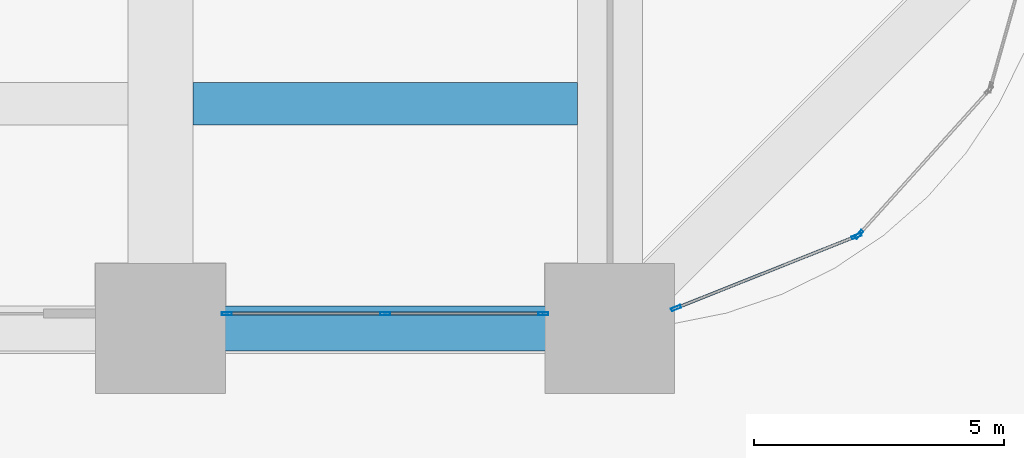
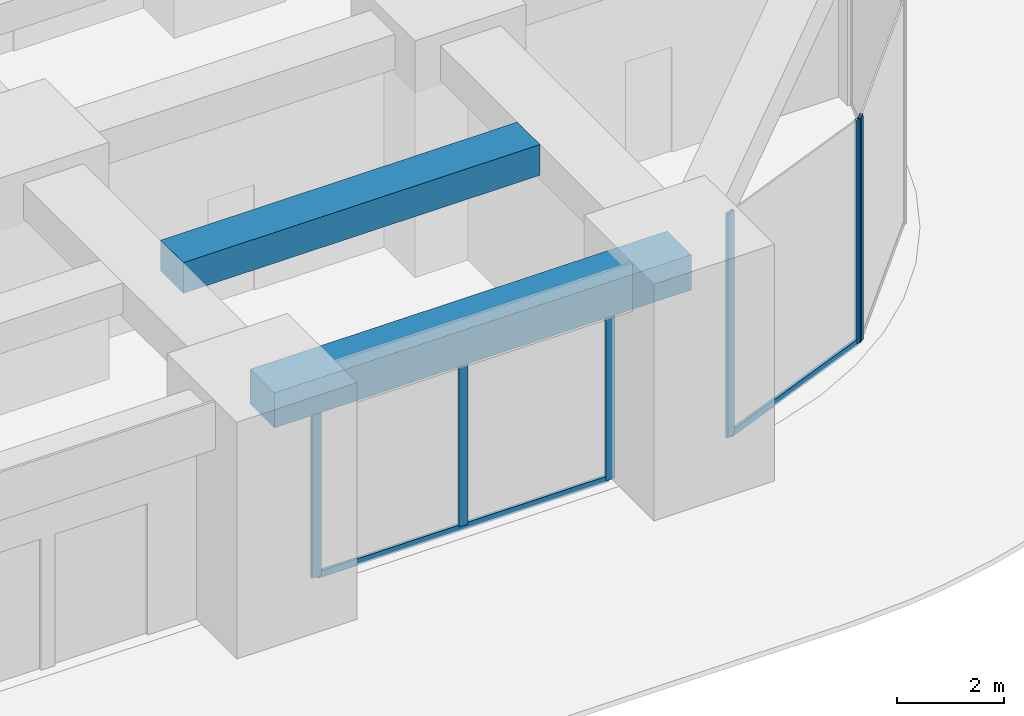
# One storey, part 29 of 56: 8 members, 2 beams, 3 elements without a shape of their own.
"""IFC4 building model written with IfcOpenShell, lengths in metres."""

from ifc_helpers import new_model, si_unit, direction, frame, origin, origin_2d, place, context, subcontext, project, spatial, rectangle, hollow_rectangle, extrude, material, material_profile, profile_set, type_object, element, aggregate, save


model = new_model("IFC4")

# Units and contexts
model_context = context("Model", 3, precision=1e-05, world=origin(), true_north=direction((0.0, 1.0)))
body_context = subcontext(model_context, "Body", "Model", "MODEL_VIEW")
ifc_project = project(units=[si_unit("LENGTHUNIT", "METRE"), si_unit("AREAUNIT", "SQUARE_METRE"), si_unit("VOLUMEUNIT", "CUBIC_METRE"), si_unit("PLANEANGLEUNIT", "RADIAN"), si_unit("MASSUNIT", "GRAM", prefix="KILO")], contexts=[model_context])

# Site, building, storey
site_placement = place(None, origin())
site = spatial("IfcSite", under=ifc_project, at=site_placement, CompositionType="ELEMENT")
building_placement = place(site_placement, origin())
building = spatial("IfcBuilding", under=site, at=building_placement, Name="Zorevar Civic Tower", CompositionType="ELEMENT")
storey_placement = place(building_placement, origin())
storey = spatial("IfcBuildingStorey", under=building, at=storey_placement, Name="L00", CompositionType="ELEMENT", Elevation=0.0)

# Beam
ifc_material_1 = material(Name="Concrete C50/60", Category="concrete")
ifc_material_profile_1 = material_profile(ifc_material_1, rectangle(XDim=0.85009765625, YDim=0.699951171875, at=origin_2d()), Name="RC 850x700")
ifc_profile_set_1 = profile_set([ifc_material_profile_1], Name="Concrete C50/60")
beam_type_1 = type_object("IfcBeamType", Name="Beam RC 850x700", PredefinedType="BEAM", material=ifc_profile_set_1)
beam_1_placement = place(storey_placement, frame((54.64990234375, 4.5, 4.75), z_axis=(1.0, 0.0, 0.0), x_axis=(0.0, 1.0, 0.0)))
element("IfcBeam", 1, at=beam_1_placement, inside=storey, type_object=beam_type_1, Name="Secondary beam L01", PredefinedType="BEAM", context=body_context, shape_type="SweptSolid", body=[
    extrude(rectangle(XDim=0.85009765625, YDim=0.699951171875, at=origin_2d()), origin(), (0.0, 0.0, 1.0), 7.7001953125),
])

# Curtain wall, members
ifc_material_2 = material(Name="Dark grey solar-control glass in black aluminium frame", Category="aluminium")
curtain_wall_type = type_object("IfcCurtainWallType", Name="Curtain wall CW1 podium", PredefinedType="NOTDEFINED", material=ifc_material_2)
curtain_wall_1_placement = place(storey_placement, origin())
curtain_wall_1 = element("IfcCurtainWall", 2, at=curtain_wall_1_placement, inside=storey, type_object=curtain_wall_type, Name="CW1 L00", PredefinedType="NOTDEFINED")
ifc_material_3 = material(Name="Aluminium, black anodised", Category="aluminium")
ifc_material_profile_2 = material_profile(ifc_material_3, hollow_rectangle(XDim=0.06005859375, YDim=0.199951171875, WallThickness=0.00390625, at=origin_2d()), Name="AL 200x60x4")
ifc_profile_set_2 = profile_set([ifc_material_profile_2], Name="Aluminium, black anodised")
member_type_1 = type_object("IfcMemberType", Name="CW1 mullion AL 200x60x4", PredefinedType="MULLION", material=ifc_profile_set_2)
member_1_placement = place(storey_placement, frame((55.330078125, 0.300048828125, 0.0), z_axis=(0.0, 0.0, 1.0), x_axis=(0.0, 1.0, 0.0)))
member_1 = element("IfcMember", 3, at=member_1_placement, type_object=member_type_1, Name="CW1 mullion 1", PredefinedType="MULLION", context=body_context, shape_type="SweptSolid", body=[
    extrude(hollow_rectangle(XDim=0.06005859375, YDim=0.199951171875, WallThickness=0.00390625, at=origin_2d()), origin(), (0.0, 0.0, 1.0), 4.300048828125),
])
member_2_placement = place(storey_placement, frame((58.5, 0.300048828125, 0.06005859375), z_axis=(0.0, 0.0, 1.0), x_axis=(0.0, 1.0, 0.0)))
member_2 = element("IfcMember", 4, at=member_2_placement, type_object=member_type_1, Name="CW1 mullion 2", PredefinedType="MULLION", context=body_context, shape_type="SweptSolid", body=[
    extrude(hollow_rectangle(XDim=0.06005859375, YDim=0.199951171875, WallThickness=0.00390625, at=origin_2d()), origin(), (0.0, 0.0, 1.0), 4.239990234375),
])
member_3_placement = place(storey_placement, frame((61.669921875, 0.300048828125, 0.0), z_axis=(0.0, 0.0, 1.0), x_axis=(0.0, 1.0, 0.0)))
member_3 = element("IfcMember", 5, at=member_3_placement, type_object=member_type_1, Name="CW1 mullion 3", PredefinedType="MULLION", context=body_context, shape_type="SweptSolid", body=[
    extrude(hollow_rectangle(XDim=0.06005859375, YDim=0.199951171875, WallThickness=0.00390625, at=origin_2d()), origin(), (0.0, 0.0, 1.0), 4.300048828125),
])

curtain_wall_2_placement = place(storey_placement, origin())
curtain_wall_2 = element("IfcCurtainWall", 6, at=curtain_wall_2_placement, inside=storey, type_object=curtain_wall_type, Name="CW1 L00", PredefinedType="NOTDEFINED")
member_4_placement = place(storey_placement, frame((64.327880859375, 0.408935546875, 0.0), z_axis=(0.0, 0.0, 1.0), x_axis=(-0.370110964218, 0.928987553289, 0.0)))
member_4 = element("IfcMember", 7, at=member_4_placement, type_object=member_type_1, Name="CW1 mullion 1", PredefinedType="MULLION", context=body_context, shape_type="SweptSolid", body=[
    extrude(hollow_rectangle(XDim=0.06005859375, YDim=0.199951171875, WallThickness=0.00390625, at=origin_2d()), origin(), (0.0, 0.0, 1.0), 5.10009765625),
])
member_5_placement = place(storey_placement, frame((67.943603515625, 1.849365234375, 0.0), z_axis=(0.0, 0.0, 1.0), x_axis=(-0.370110964218, 0.928987553289, 0.0)))
member_5 = element("IfcMember", 8, at=member_5_placement, type_object=member_type_1, Name="CW1 mullion 2", PredefinedType="MULLION", context=body_context, shape_type="SweptSolid", body=[
    extrude(hollow_rectangle(XDim=0.06005859375, YDim=0.199951171875, WallThickness=0.00390625, at=origin_2d()), origin(), (0.0, 0.0, 1.0), 5.10009765625),
])

# Curtain wall, member
curtain_wall_3_placement = place(storey_placement, origin())
curtain_wall_3 = element("IfcCurtainWall", 9, at=curtain_wall_3_placement, inside=storey, type_object=curtain_wall_type, Name="CW1 L00", PredefinedType="NOTDEFINED")
member_6_placement = place(storey_placement, frame((67.991455078125, 1.8828125, 0.0), z_axis=(0.0, 0.0, 1.0), x_axis=(-0.742899688263, 0.669402758568, 0.0)))
member_6 = element("IfcMember", 10, at=member_6_placement, type_object=member_type_1, Name="CW1 mullion 1", PredefinedType="MULLION", context=body_context, shape_type="SweptSolid", body=[
    extrude(hollow_rectangle(XDim=0.06005859375, YDim=0.199951171875, WallThickness=0.00390625, at=origin_2d()), origin(), (0.0, 0.0, 1.0), 5.10009765625),
])
aggregate(curtain_wall_3, [member_6])

# Member
ifc_material_4 = material(Name="Aluminium, black anodised", Category="aluminium")
ifc_material_profile_3 = material_profile(ifc_material_4, hollow_rectangle(XDim=0.06005859375, YDim=0.14990234375, WallThickness=0.00390625, at=origin_2d()), Name="AL 150x60x4")
ifc_profile_set_3 = profile_set([ifc_material_profile_3], Name="Aluminium, black anodised")
member_type_2 = type_object("IfcMemberType", Name="CW1 transom AL 150x60x4", PredefinedType="USERDEFINED", material=ifc_profile_set_3)
member_7_placement = place(storey_placement, frame((55.360107421875, 0.300048828125, 0.030029296875), z_axis=(1.0, 0.0, 0.0), x_axis=(0.0, 1.0, 0.0)))
member_7 = element("IfcMember", 11, at=member_7_placement, type_object=member_type_2, Name="CW1 sill transom", ObjectType="TRANSOM", PredefinedType="USERDEFINED", context=body_context, shape_type="SweptSolid", body=[
    extrude(hollow_rectangle(XDim=0.06005859375, YDim=0.14990234375, WallThickness=0.00390625, at=origin_2d()), origin(), (0.0, 0.0, 1.0), 6.27978515625),
])

aggregate(curtain_wall_1, [member_1, member_2, member_3, member_7])

member_8_placement = place(storey_placement, frame((64.355712890625, 0.419921875, 0.030029296875), z_axis=(0.928998620575, 0.370083183851, 0.0), x_axis=(-0.370083183851, 0.928998620575, 0.0)))
member_8 = element("IfcMember", 12, at=member_8_placement, type_object=member_type_2, Name="CW1 sill transom", ObjectType="TRANSOM", PredefinedType="USERDEFINED", context=body_context, shape_type="SweptSolid", body=[
    extrude(hollow_rectangle(XDim=0.06005859375, YDim=0.14990234375, WallThickness=0.00390625, at=origin_2d()), origin(), (0.0, 0.0, 1.0), 3.83203125),
])

aggregate(curtain_wall_2, [member_4, member_5, member_8])

# Beam
ifc_material_5 = material(Name="Concrete C50/60", Category="concrete")
ifc_material_profile_4 = material_profile(ifc_material_5, rectangle(XDim=0.89990234375, YDim=0.800048828125, at=origin_2d()), Name="RC 900x800")
ifc_profile_set_4 = profile_set([ifc_material_profile_4], Name="Concrete C50/60")
beam_type_2 = type_object("IfcBeamType", Name="Edge beam RC 900x800", PredefinedType="SPANDREL", material=ifc_profile_set_4)
beam_2_placement = place(storey_placement, frame((54.0, 0.0, 4.699951171875), z_axis=(1.0, 0.0, 0.0), x_axis=(0.0, 1.0, 0.0)))
element("IfcBeam", 13, at=beam_2_placement, inside=storey, type_object=beam_type_2, Name="Edge beam L01", PredefinedType="SPANDREL", context=body_context, shape_type="SweptSolid", body=[
    extrude(rectangle(XDim=0.89990234375, YDim=0.800048828125, at=origin_2d()), origin(), (0.0, 0.0, 1.0), 9.0),
])

save(model, "model.ifc")
